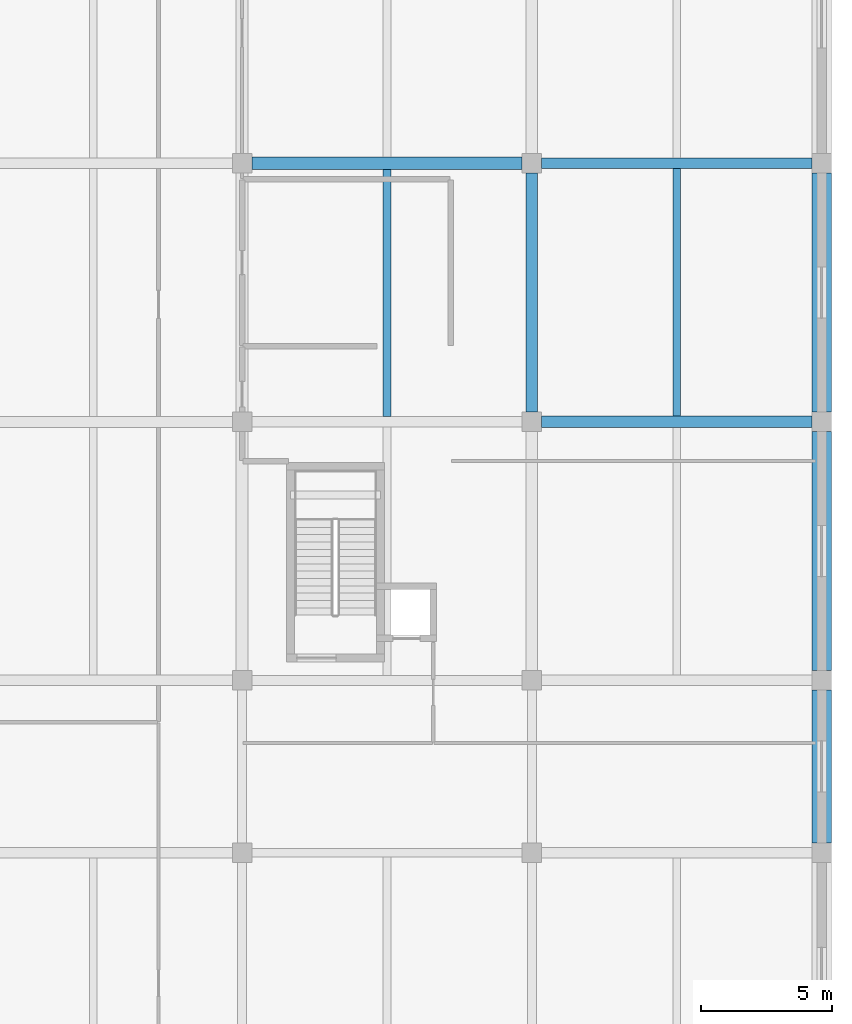
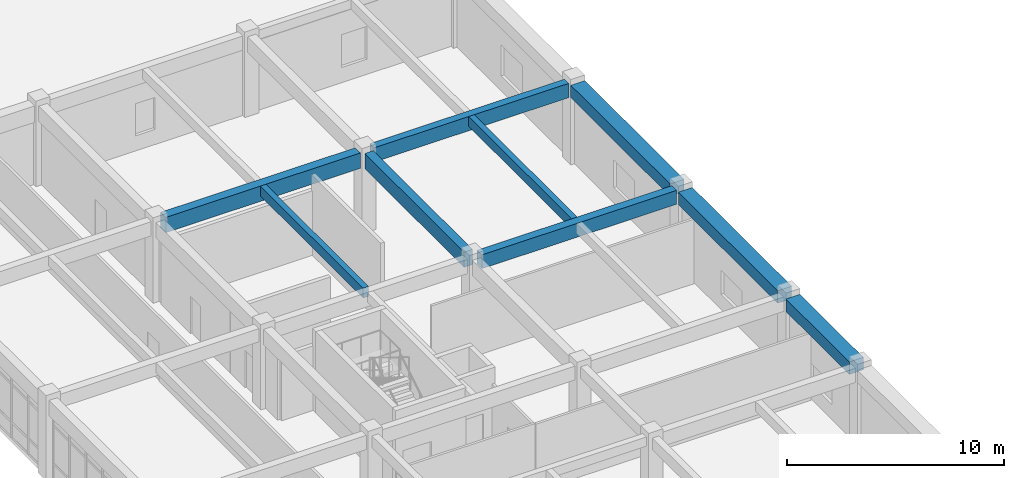
# One storey, part 31 of 68: 9 beams.
"""IFC4 building model written with IfcOpenShell, lengths in metres."""

import ifcopenshell
import ifcopenshell.guid

model = None  # the IFC model being written
_history = None  # IfcOwnerHistory: only IFC2X3 demands one
_inside = {}  # id of a spatial element -> (the spatial element, [elements in it])
_under = {}  # id of a project, library or spatial element -> (it, [spatial elements below it])
_declared = {}  # id of a project -> (the project, [libraries it declares])
_typed = {}  # id of a type object -> (the type object, [elements of that type])
_made_of = {}  # id of a material, layer set ... -> (it, [elements and type objects made of it])


def new_model(schema):
    """Start an empty IFC model of exactly this schema.

    Asked for "IFC4X3", IfcOpenShell would pick the latest addendum, in which some entities
    have other attributes; the version numbers below select the first issue.
    IFC2X3 requires an IfcOwnerHistory on every rooted entity: one is made here for all.
    """
    global model, _history
    if schema == "IFC4X3":
        model = ifcopenshell.file(schema_version=(4, 3, 0, 0))
    else:
        model = ifcopenshell.file(schema=schema)
    _inside.clear()
    _under.clear()
    _declared.clear()
    _typed.clear()
    _made_of.clear()
    _history = None
    if model.schema == "IFC2X3":
        org = make("IfcOrganization", Name="unknown")
        user = make(
            "IfcPersonAndOrganization",
            ThePerson=make("IfcPerson", FamilyName="unknown"),
            TheOrganization=org,
        )
        app = make(
            "IfcApplication",
            ApplicationDeveloper=org,
            Version="unknown",
            ApplicationFullName="unknown",
            ApplicationIdentifier="unknown",
        )
        _history = make(
            "IfcOwnerHistory",
            OwningUser=user,
            OwningApplication=app,
            ChangeAction="ADDED",
            CreationDate=0,
        )
    return model


def make(cls, **values):
    """One entity of the class cls with the attributes given. An attribute that is None is left unset."""
    return model.create_entity(
        cls, **{name: value for name, value in values.items() if value is not None}
    )


def rooted(cls, **values):
    """An entity with a GlobalId (a new one), such as an element, a storey or a relation."""
    return make(cls, GlobalId=ifcopenshell.guid.new(), OwnerHistory=_history, **values)


def si_unit(unit_type, name, prefix=None):
    """IfcSIUnit, for example si_unit("LENGTHUNIT", "METRE", prefix="MILLI")."""
    return make("IfcSIUnit", UnitType=unit_type, Prefix=prefix, Name=name)


def assignment(units):
    """IfcUnitAssignment: the units of a project."""
    return None if units is None else make("IfcUnitAssignment", Units=units)


def point(xyz):
    """IfcCartesianPoint."""
    return None if xyz is None else make("IfcCartesianPoint", Coordinates=xyz)


def direction(xyz):
    """IfcDirection."""
    return None if xyz is None else make("IfcDirection", DirectionRatios=xyz)


def frame(location, z_axis=None, x_axis=None):
    """IfcAxis2Placement3D, a coordinate frame: its origin and axes. An axis left out is left unset."""
    return make(
        "IfcAxis2Placement3D",
        Location=point(location),
        Axis=direction(z_axis),
        RefDirection=direction(x_axis),
    )


def frame_2d(location, x_axis=None):
    """IfcAxis2Placement2D, a coordinate frame in the plane: its origin and x axis."""
    return make(
        "IfcAxis2Placement2D", Location=point(location), RefDirection=direction(x_axis)
    )


def origin():
    """The frame at (0, 0, 0) with its axes left unset."""
    return frame((0.0, 0.0, 0.0))


def origin_2d():
    """The frame at (0, 0) in the plane with its x axis left unset."""
    return frame_2d((0.0, 0.0))


def place(relative_to, where):
    """IfcLocalPlacement: puts the frame where relative to a parent placement (None: the world)."""
    return make(
        "IfcLocalPlacement", PlacementRelTo=relative_to, RelativePlacement=where
    )


def context(
    kind, dimensions, precision=None, world=None, true_north=None, identifier=None
):
    """IfcGeometricRepresentationContext, for example the 3D "Model" context."""
    return make(
        "IfcGeometricRepresentationContext",
        ContextIdentifier=identifier,
        ContextType=kind,
        CoordinateSpaceDimension=dimensions,
        Precision=precision,
        WorldCoordinateSystem=world,
        TrueNorth=true_north,
    )


def subcontext(parent, identifier, kind, view, scale=None):
    """IfcGeometricRepresentationSubContext, for example "Body" below "Model"."""
    return make(
        "IfcGeometricRepresentationSubContext",
        ContextIdentifier=identifier,
        ContextType=kind,
        ParentContext=parent,
        TargetScale=scale,
        TargetView=view,
    )


def project(units=None, contexts=None):
    """IfcProject with its units and contexts."""
    return rooted(
        "IfcProject",
        Name="project",
        RepresentationContexts=contexts,
        UnitsInContext=assignment(units),
    )


def spatial(cls, under=None, at=None, **own):
    """A site, building, storey or space (cls), placed at a placement, below another one or the project."""
    s = rooted(cls, ObjectPlacement=at, **own)
    if under is not None:
        _under.setdefault(under.id(), (under, []))[1].append(s)
    return s


def profile(cls, at=None, kind="AREA", **sizes):
    """A parametric profile (cls). Its sizes go by their IFC names, for example OverallWidth=200.0."""
    return make(cls, ProfileType=kind, Position=at, **sizes)


def rectangle(**sizes):
    """IfcRectangleProfileDef."""
    return profile("IfcRectangleProfileDef", **sizes)


def extrude(swept, where, along, depth):
    """IfcExtrudedAreaSolid: the profile swept, set in the frame where, extruded along a direction by depth."""
    return make(
        "IfcExtrudedAreaSolid",
        SweptArea=swept,
        Position=where,
        ExtrudedDirection=direction(along),
        Depth=depth,
    )


def shape(context_of_items, identifier, shape_type, items):
    """IfcShapeRepresentation: the items that make up one representation, for example the "Body"."""
    return make(
        "IfcShapeRepresentation",
        ContextOfItems=context_of_items,
        RepresentationIdentifier=identifier,
        RepresentationType=shape_type,
        Items=items,
    )


def material(Name=None, Category=None):
    """IfcMaterial."""
    return make("IfcMaterial", Name=Name, Category=Category)


def material_profile(
    of_material, cross_section, Name=None, Category=None, Priority=None
):
    """IfcMaterialProfile: a cross section and its material."""
    return make(
        "IfcMaterialProfile",
        Name=Name,
        Material=of_material,
        Profile=cross_section,
        Priority=Priority,
        Category=Category,
    )


def profile_set(profiles, Name=None, composite=None):
    """IfcMaterialProfileSet."""
    return make(
        "IfcMaterialProfileSet",
        Name=Name,
        MaterialProfiles=profiles,
        CompositeProfile=composite,
    )


def made_of(thing, what):
    """Note that an element or type object is made of a material, layer set ...; save() writes the relation."""
    if what is not None:
        _made_of.setdefault(what.id(), (what, []))[1].append(thing)
    return thing


def type_object(cls, material=None, **own):
    """A type object (cls), such as IfcWallType, which elements share."""
    return made_of(rooted(cls, **own), material)


def element(
    cls,
    number,
    at=None,
    inside=None,
    cuts=None,
    type_object=None,
    material=None,
    context=None,
    identifier="Body",
    shape_type=None,
    held_by="IfcProductDefinitionShape",
    body=None,
    shapes=None,
    **own,
):
    """One element of the class cls, such as IfcWall. Its Tag is "e" and its number.

    at: its placement. inside: the storey or other place that contains it. cuts: it is an
    opening in that element (IfcRelVoidsElement). A single representation is given by context,
    identifier, shape_type and body (its items); several are given by shapes. held_by: the class
    of the entity that holds the representations. save() writes the other relations.
    """
    e = rooted(cls, Tag="e%d" % number, ObjectPlacement=at, **own)
    if body is not None:
        shapes = [shape(context, identifier, shape_type, body)]
    if shapes is not None:
        e.Representation = make(held_by, Representations=shapes)
    if inside is not None:
        _inside.setdefault(inside.id(), (inside, []))[1].append(e)
    if cuts is not None:
        rooted(
            "IfcRelVoidsElement", RelatingBuildingElement=cuts, RelatedOpeningElement=e
        )
    if type_object is not None:
        _typed.setdefault(type_object.id(), (type_object, []))[1].append(e)
    return made_of(e, material)


def aggregate(whole, parts):
    """IfcRelAggregates: a whole, such as a stair, and the parts it consists of."""
    return rooted("IfcRelAggregates", RelatingObject=whole, RelatedObjects=parts)


def save(model, path):
    """Write the relations noted so far, then the file.

    IfcRelAggregates (storeys below a building ...), IfcRelContainedInSpatialStructure (elements
    in a storey), IfcRelDefinesByType, IfcRelAssociatesMaterial and IfcRelDeclares: one each for
    every whole, place, type object, material and project.
    """
    for whole, parts in _under.values():
        aggregate(whole, parts)
    for where, things in _inside.values():
        rooted(
            "IfcRelContainedInSpatialStructure",
            RelatedElements=things,
            RelatingStructure=where,
        )
    for kind, things in _typed.values():
        rooted("IfcRelDefinesByType", RelatedObjects=things, RelatingType=kind)
    for what, things in _made_of.values():
        rooted("IfcRelAssociatesMaterial", RelatedObjects=things, RelatingMaterial=what)
    for by, libraries in _declared.values():
        rooted("IfcRelDeclares", RelatingContext=by, RelatedDefinitions=libraries)
    model.write(path)


model = new_model("IFC4")

# Units and contexts
model_context = context("Model", 3, precision=1e-05, world=origin(), true_north=direction((0.0, 1.0)))
body_context = subcontext(model_context, "Body", "Model", "MODEL_VIEW")
ifc_project = project(units=[si_unit("LENGTHUNIT", "METRE"), si_unit("AREAUNIT", "SQUARE_METRE"), si_unit("VOLUMEUNIT", "CUBIC_METRE"), si_unit("PLANEANGLEUNIT", "RADIAN"), si_unit("MASSUNIT", "GRAM", prefix="KILO")], contexts=[model_context])

# Site, building, storey
site_placement = place(None, origin())
site = spatial("IfcSite", under=ifc_project, at=site_placement, CompositionType="ELEMENT")
building_placement = place(site_placement, origin())
building = spatial("IfcBuilding", under=site, at=building_placement, Name="Miralva Faculty of Natural Sciences", CompositionType="ELEMENT")
storey_placement = place(building_placement, frame((0.0, 0.0, 5.39990234375)))
storey = spatial("IfcBuildingStorey", under=building, at=storey_placement, Name="L01", CompositionType="ELEMENT", Elevation=5.39990234375)

# Beams
ifc_material = material(Name="Concrete C40/50", Category="concrete")
ifc_material_profile_1 = material_profile(ifc_material, rectangle(XDim=0.449951171875, YDim=0.85009765625, at=origin_2d()), Name="RC 450x850")
ifc_profile_set_1 = profile_set([ifc_material_profile_1], Name="Concrete C40/50")
beam_type_1 = type_object("IfcBeamType", Name="BM-B01", PredefinedType="BEAM", material=ifc_profile_set_1)
beam_1_placement = place(storey_placement, frame((156.300048828125, 55.875, 4.05517578125), z_axis=(0.0, 1.0, 0.0), x_axis=(-1.0, 0.0, 0.0)))
element("IfcBeam", 1, at=beam_1_placement, inside=storey, type_object=beam_type_1, Name="Girder NS L01-179", PredefinedType="BEAM", context=body_context, shape_type="SweptSolid", body=[
    extrude(rectangle(XDim=0.449951171875, YDim=0.85009765625, at=origin_2d()), origin(), (0.0, 0.0, 1.0), 9.14990234375),
])
ifc_material_profile_2 = material_profile(ifc_material, rectangle(XDim=0.39990234375, YDim=0.800048828125, at=origin_2d()), Name="RC 400x800")
ifc_profile_set_2 = profile_set([ifc_material_profile_2], Name="Concrete C40/50")
beam_type_2 = type_object("IfcBeamType", Name="BM-B02", PredefinedType="BEAM", material=ifc_profile_set_2)
beam_2_placement = place(storey_placement, frame((156.675048828125, 65.39990234375, 4.080078125), z_axis=(1.0, 0.0, 0.0), x_axis=(0.0, 1.0, 0.0)))
element("IfcBeam", 2, at=beam_2_placement, inside=storey, type_object=beam_type_2, Name="Girder EW L01-60", PredefinedType="BEAM", context=body_context, shape_type="SweptSolid", body=[
    extrude(rectangle(XDim=0.39990234375, YDim=0.800048828125, at=origin_2d()), origin(), (0.0, 0.0, 1.0), 10.349853515625),
])
ifc_material_profile_3 = material_profile(ifc_material, rectangle(XDim=0.43994140625, YDim=0.780029296875, at=origin_2d()), Name="RC 440x780")
ifc_profile_set_3 = profile_set([ifc_material_profile_3], Name="Concrete C40/50")
beam_type_3 = type_object("IfcBeamType", Name="BM-BG13", PredefinedType="BEAM", material=ifc_profile_set_3)
beam_3_placement = place(storey_placement, frame((156.675048828125, 55.5, 4.090087890625), z_axis=(1.0, 0.0, 0.0), x_axis=(0.0, 1.0, 0.0)))
element("IfcBeam", 3, at=beam_3_placement, inside=storey, type_object=beam_type_3, Name="Girder EW L01-55", PredefinedType="BEAM", context=body_context, shape_type="SweptSolid", body=[
    extrude(rectangle(XDim=0.43994140625, YDim=0.780029296875, at=origin_2d()), origin(), (0.0, 0.0, 1.0), 10.349853515625),
])
ifc_material_profile_4 = material_profile(ifc_material, rectangle(XDim=0.47998046875, YDim=0.860107421875, at=origin_2d()), Name="RC 480x860")
ifc_profile_set_4 = profile_set([ifc_material_profile_4], Name="Concrete C40/50")
beam_type_4 = type_object("IfcBeamType", Name="BM-BG17", PredefinedType="BEAM", material=ifc_profile_set_4)
beam_4_placement = place(storey_placement, frame((145.574951171875, 65.39990234375, 4.050048828125), z_axis=(1.0, 0.0, 0.0), x_axis=(0.0, 1.0, 0.0)))
element("IfcBeam", 4, at=beam_4_placement, inside=storey, type_object=beam_type_4, Name="Girder EW L01-59", PredefinedType="BEAM", context=body_context, shape_type="SweptSolid", body=[
    extrude(rectangle(XDim=0.47998046875, YDim=0.860107421875, at=origin_2d()), origin(), (0.0, 0.0, 1.0), 10.35009765625),
])
ifc_material_profile_5 = material_profile(ifc_material, rectangle(XDim=0.300048828125, YDim=0.550048828125, at=origin_2d()), Name="RC 300x550")
ifc_profile_set_5 = profile_set([ifc_material_profile_5], Name="Concrete C40/50")
beam_type_5 = type_object("IfcBeamType", Name="BM-J02", PredefinedType="JOIST", material=ifc_profile_set_5)
beam_5_placement = place(storey_placement, frame((150.75, 55.699951171875, 4.205078125), z_axis=(0.0, 1.0, 0.0), x_axis=(-1.0, 0.0, 0.0)))
element("IfcBeam", 5, at=beam_5_placement, inside=storey, type_object=beam_type_5, Name="Floor joist L01-20", PredefinedType="JOIST", context=body_context, shape_type="SweptSolid", body=[
    extrude(rectangle(XDim=0.300048828125, YDim=0.550048828125, at=origin_2d()), origin(), (0.0, 0.0, 1.0), 9.4599609375),
])
beam_6_placement = place(storey_placement, frame((161.85009765625, 55.719970703125, 4.205078125), z_axis=(0.0, 1.0, 0.0), x_axis=(-1.0, 0.0, 0.0)))
element("IfcBeam", 6, at=beam_6_placement, inside=storey, type_object=beam_type_5, Name="Floor joist L01-21", PredefinedType="JOIST", context=body_context, shape_type="SweptSolid", body=[
    extrude(rectangle(XDim=0.300048828125, YDim=0.550048828125, at=origin_2d()), origin(), (0.0, 0.0, 1.0), 9.47998046875),
])
ifc_material_profile_6 = material_profile(ifc_material, rectangle(XDim=0.75, YDim=0.699951171875, at=origin_2d()), Name="RC 750x700")
ifc_profile_set_6 = profile_set([ifc_material_profile_6], Name="Concrete C40/50")
beam_type_6 = type_object("IfcBeamType", Name="BM-SP01", PredefinedType="SPANDREL", material=ifc_profile_set_6)
beam_7_placement = place(storey_placement, frame((167.39990234375, 39.375, 4.130126953125), z_axis=(0.0, 1.0, 0.0), x_axis=(-1.0, 0.0, 0.0)))
element("IfcBeam", 7, at=beam_7_placement, inside=storey, type_object=beam_type_6, Name="Girder NS L01-184", PredefinedType="SPANDREL", context=body_context, shape_type="SweptSolid", body=[
    extrude(rectangle(XDim=0.75, YDim=0.699951171875, at=origin_2d()), origin(), (0.0, 0.0, 1.0), 5.85009765625),
])
for number, where, z_axis, x_axis, name in (
    (8, (167.39990234375, 45.97509765625, 4.130126953125), (0.0, 1.0, 0.0), (-1.0, 0.0, 0.0), "Girder NS L01-185"),
    (9, (167.39990234375, 55.875, 4.130126953125), (0.0, 1.0, 0.0), (-1.0, 0.0, 0.0), "Girder NS L01-186"),
):
    element("IfcBeam", number, at=place(storey_placement, frame(where, z_axis=z_axis, x_axis=x_axis)), inside=storey, type_object=beam_type_6, Name=name, PredefinedType="SPANDREL", context=body_context, shape_type="SweptSolid", body=[
        extrude(rectangle(XDim=0.75, YDim=0.699951171875, at=origin_2d()), origin(), (0.0, 0.0, 1.0), 9.14990234375),
    ])

save(model, "model.ifc")
